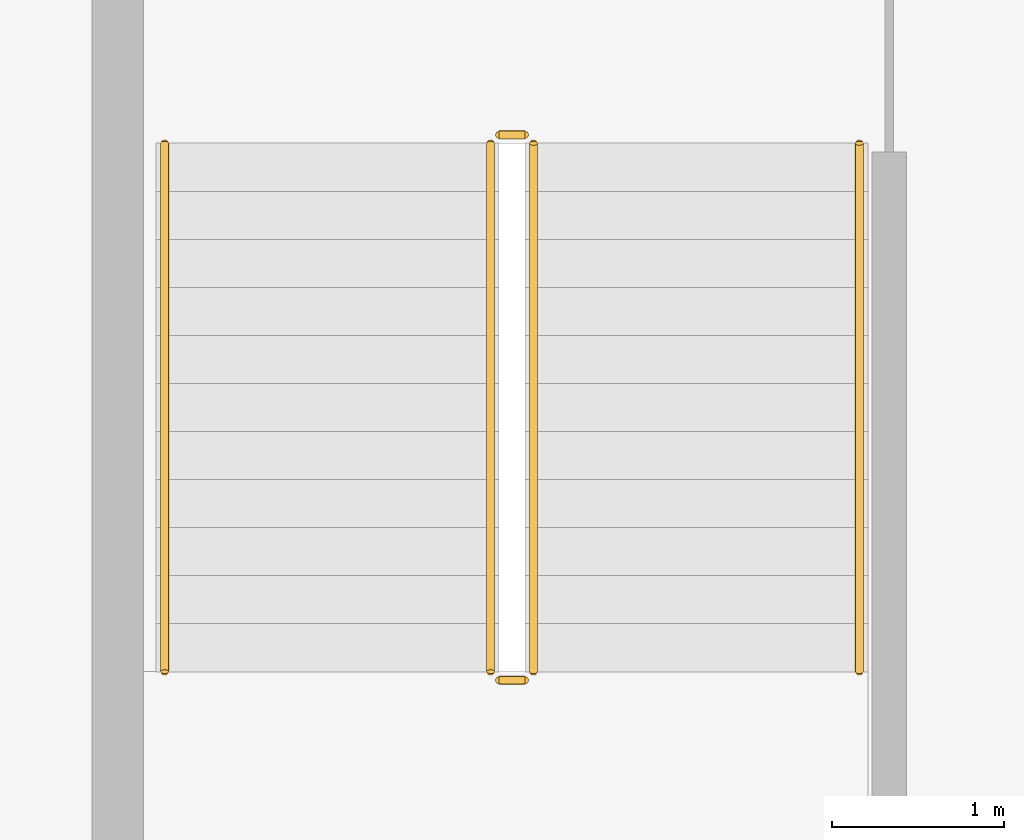
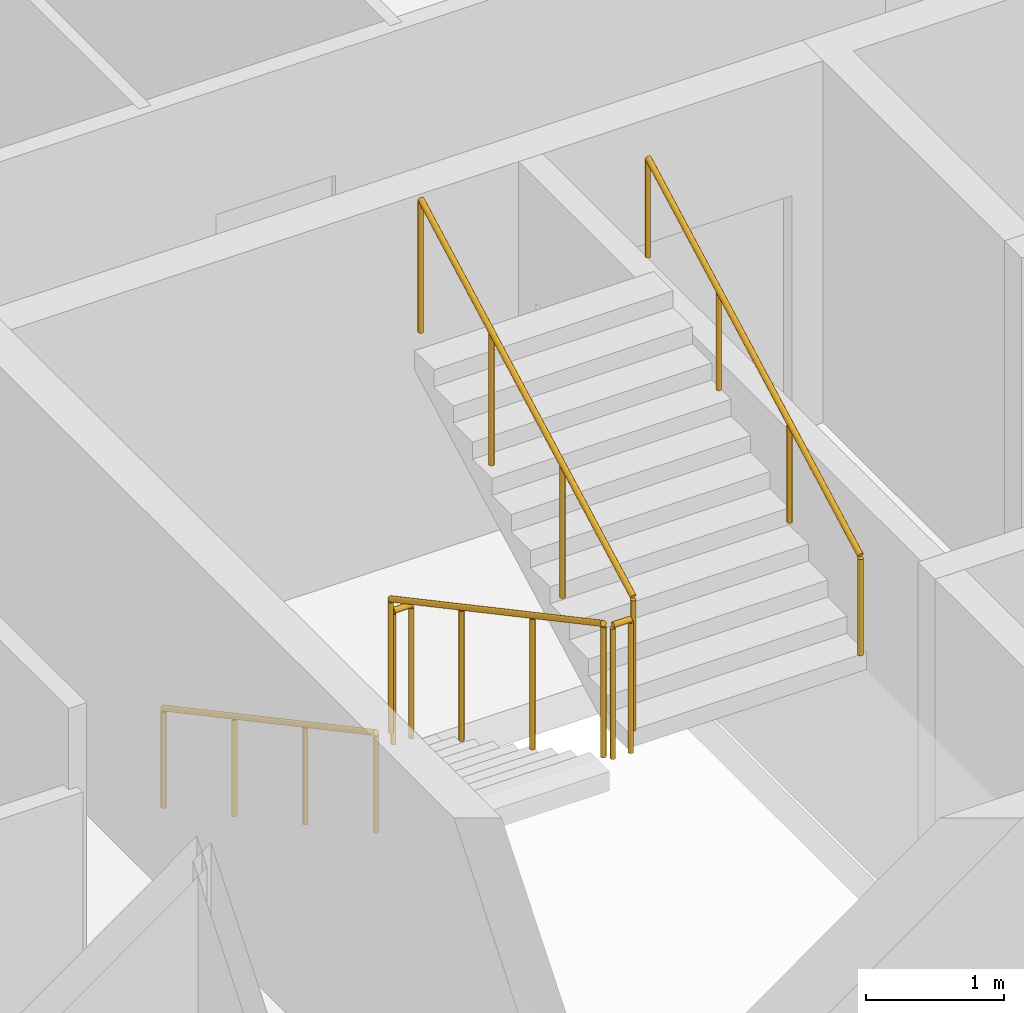
# One storey, part 13 of 15: 6 railings.
"""IFC4 building model written with IfcOpenShell, lengths in metres."""

from ifc_helpers import new_model, si_unit, direction, frame, origin, origin_2d, place, context, subcontext, project, spatial, circle, extrude, material, type_object, element, save


model = new_model("IFC4")

# Units and contexts
model_context = context("Model", 3, precision=1e-05, world=origin(), true_north=direction((0.0, 1.0)))
body_context = subcontext(model_context, "Body", "Model", "MODEL_VIEW")
ifc_project = project(units=[si_unit("LENGTHUNIT", "METRE"), si_unit("AREAUNIT", "SQUARE_METRE"), si_unit("VOLUMEUNIT", "CUBIC_METRE"), si_unit("PLANEANGLEUNIT", "RADIAN"), si_unit("MASSUNIT", "GRAM", prefix="KILO")], contexts=[model_context])

# Site, building, storey
site_placement = place(None, origin())
site = spatial("IfcSite", under=ifc_project, at=site_placement, CompositionType="ELEMENT")
building_placement = place(site_placement, origin())
building = spatial("IfcBuilding", under=site, at=building_placement, Name="Caravel Reach Hotel and Residences", CompositionType="ELEMENT")
storey_placement = place(building_placement, frame((0.0, 0.0, 44.39990234375)))
storey = spatial("IfcBuildingStorey", under=building, at=storey_placement, Name="L09", CompositionType="ELEMENT", Elevation=44.39990234375)

# Railings
ifc_material_1 = material(Name="Steel balustrade with glass infill", Category="steel")
railing_type_1 = type_object("IfcRailingType", Name="Guard 1200", PredefinedType="GUARDRAIL", material=ifc_material_1)
railing_1_placement = place(storey_placement, frame((20.175048828125, 29.35009765625, 0.150146484375)))
element("IfcRailing", 1, at=railing_1_placement, inside=storey, type_object=railing_type_1, Name="L09 ST-A stair guard 1", PredefinedType="GUARDRAIL", context=body_context, shape_type="SweptSolid", body=[
    extrude(circle(Radius=0.02392578125, at=origin_2d()), frame((0.0, 0.0, 1.17578125), z_axis=(0.0, -0.881496589024, 0.472190389079), x_axis=(1.0, 0.0, 0.0)), (0.0, 0.0, 1.0), 3.494140625),
    extrude(circle(Radius=0.02099609375, at=origin_2d()), origin(), (0.0, 0.0, 1.0), 1.15185546875),
    extrude(circle(Radius=0.02099609375, at=origin_2d()), frame((0.0, -1.026611328125, 0.550048828125)), (0.0, 0.0, 1.0), 1.15185546875),
    extrude(circle(Radius=0.02099609375, at=origin_2d()), frame((0.0, -2.053466796875, 1.099853515625)), (0.0, 0.0, 1.0), 1.15185546875),
    extrude(circle(Radius=0.02099609375, at=origin_2d()), frame((0.0, -3.080078125, 1.64990234375)), (0.0, 0.0, 1.0), 1.15185546875),
])
railing_2_placement = place(storey_placement, frame((20.22509765625, 26.219970703125, 1.800048828125)))
element("IfcRailing", 2, at=railing_2_placement, inside=storey, type_object=railing_type_1, Name="L09 ST-A stair guard 2", PredefinedType="GUARDRAIL", context=body_context, shape_type="SweptSolid", body=[
    extrude(circle(Radius=0.02392578125, at=origin_2d()), frame((0.0, 0.0, 1.17578125), z_axis=(1.0, 0.0, 0.0), x_axis=(0.0, 1.0, 0.0)), (0.0, 0.0, 1.0), 0.14990234375),
    extrude(circle(Radius=0.02099609375, at=origin_2d()), origin(), (0.0, 0.0, 1.0), 1.15185546875),
    extrude(circle(Radius=0.02099609375, at=origin_2d()), frame((0.14990234375, 0.0, 0.0)), (0.0, 0.0, 1.0), 1.15185546875),
])
railing_3_placement = place(storey_placement, frame((20.425048828125, 26.27001953125, 1.9501953125)))
element("IfcRailing", 3, at=railing_3_placement, inside=storey, type_object=railing_type_1, Name="L09 ST-A stair guard 3", PredefinedType="GUARDRAIL", context=body_context, shape_type="SweptSolid", body=[
    extrude(circle(Radius=0.02392578125, at=origin_2d()), frame((0.0, 0.0, 1.17578125), z_axis=(0.0, 0.881496589024, 0.472190389079), x_axis=(-1.0, 0.0, 0.0)), (0.0, 0.0, 1.0), 3.494140625),
    extrude(circle(Radius=0.02099609375, at=origin_2d()), origin(), (0.0, 0.0, 1.0), 1.15185546875),
    extrude(circle(Radius=0.02099609375, at=origin_2d()), frame((0.0, 1.026611328125, 0.550048828125)), (0.0, 0.0, 1.0), 1.15185546875),
    extrude(circle(Radius=0.02099609375, at=origin_2d()), frame((0.0, 2.053466796875, 1.099853515625)), (0.0, 0.0, 1.0), 1.15185546875),
    extrude(circle(Radius=0.02099609375, at=origin_2d()), frame((0.0, 3.080078125, 1.64990234375)), (0.0, 0.0, 1.0), 1.15185546875),
])
railing_4_placement = place(storey_placement, frame((20.22509765625, 29.39990234375, 0.0)))
element("IfcRailing", 4, at=railing_4_placement, inside=storey, type_object=railing_type_1, Name="L09 ST-A stair guard 4", PredefinedType="GUARDRAIL", context=body_context, shape_type="SweptSolid", body=[
    extrude(circle(Radius=0.02392578125, at=origin_2d()), frame((0.0, 0.0, 1.17578125), z_axis=(1.0, 0.0, 0.0), x_axis=(0.0, 1.0, 0.0)), (0.0, 0.0, 1.0), 0.14990234375),
    extrude(circle(Radius=0.02099609375, at=origin_2d()), origin(), (0.0, 0.0, 1.0), 1.15185546875),
    extrude(circle(Radius=0.02099609375, at=origin_2d()), frame((0.14990234375, 0.0, 0.0)), (0.0, 0.0, 1.0), 1.15185546875),
])
ifc_material_2 = material(Name="Stainless steel handrail", Category="steel")
railing_type_2 = type_object("IfcRailingType", Name="Handrail 900", PredefinedType="HANDRAIL", material=ifc_material_2)
railing_5_placement = place(storey_placement, frame((18.27490234375, 29.35009765625, 0.150146484375)))
element("IfcRailing", 5, at=railing_5_placement, inside=storey, type_object=railing_type_2, Name="L09 ST-A stair handrail 1", PredefinedType="HANDRAIL", context=body_context, shape_type="SweptSolid", body=[
    extrude(circle(Radius=0.02392578125, at=origin_2d()), frame((0.0, 0.0, 0.8759765625), z_axis=(0.0, -0.881496589024, 0.472190389079), x_axis=(1.0, 0.0, 0.0)), (0.0, 0.0, 1.0), 3.494140625),
    extrude(circle(Radius=0.02099609375, at=origin_2d()), origin(), (0.0, 0.0, 1.0), 0.851806640625),
    extrude(circle(Radius=0.02099609375, at=origin_2d()), frame((0.0, -1.026611328125, 0.550048828125)), (0.0, 0.0, 1.0), 0.851806640625),
    extrude(circle(Radius=0.02099609375, at=origin_2d()), frame((0.0, -2.053466796875, 1.099853515625)), (0.0, 0.0, 1.0), 0.851806640625),
    extrude(circle(Radius=0.02099609375, at=origin_2d()), frame((0.0, -3.080078125, 1.64990234375)), (0.0, 0.0, 1.0), 0.851806640625),
])
railing_6_placement = place(storey_placement, frame((22.324951171875, 26.27001953125, 1.9501953125)))
element("IfcRailing", 6, at=railing_6_placement, inside=storey, type_object=railing_type_2, Name="L09 ST-A stair handrail 2", PredefinedType="HANDRAIL", context=body_context, shape_type="SweptSolid", body=[
    extrude(circle(Radius=0.02392578125, at=origin_2d()), frame((0.0, 0.0, 0.8759765625), z_axis=(0.0, 0.881496589024, 0.472190389079), x_axis=(-1.0, 0.0, 0.0)), (0.0, 0.0, 1.0), 3.494140625),
    extrude(circle(Radius=0.02099609375, at=origin_2d()), origin(), (0.0, 0.0, 1.0), 0.851806640625),
    extrude(circle(Radius=0.02099609375, at=origin_2d()), frame((0.0, 1.026611328125, 0.550048828125)), (0.0, 0.0, 1.0), 0.851806640625),
    extrude(circle(Radius=0.02099609375, at=origin_2d()), frame((0.0, 2.053466796875, 1.099853515625)), (0.0, 0.0, 1.0), 0.851806640625),
    extrude(circle(Radius=0.02099609375, at=origin_2d()), frame((0.0, 3.080078125, 1.64990234375)), (0.0, 0.0, 1.0), 0.851806640625),
])

save(model, "model.ifc")
